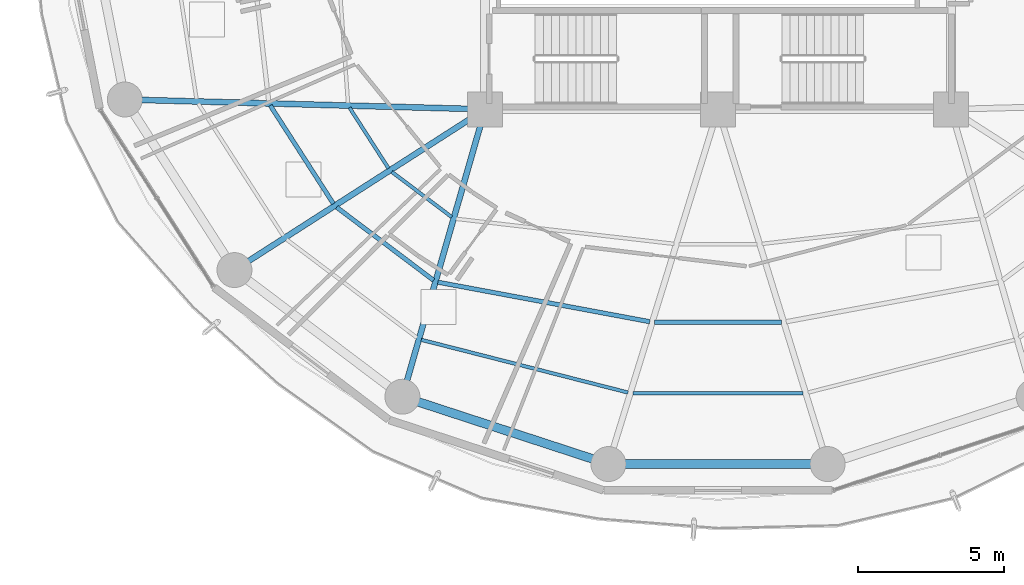
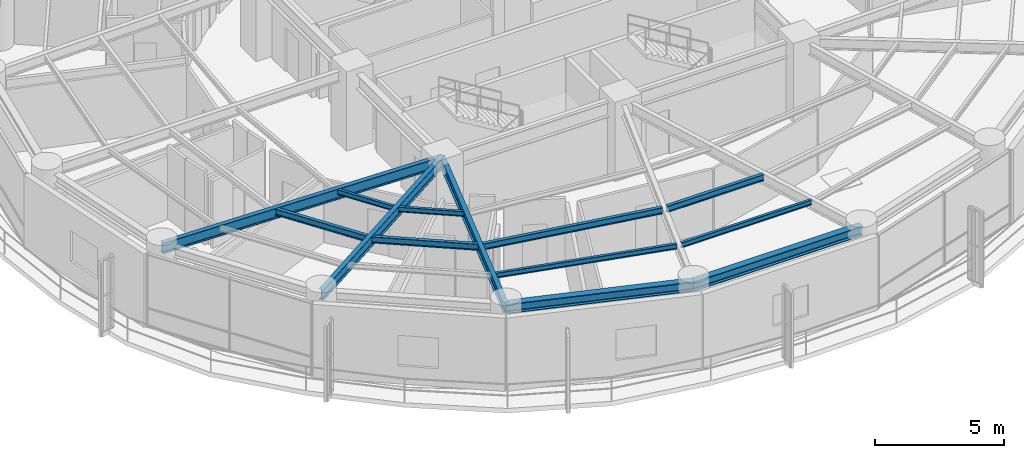
# One storey, part 3 of 27: 13 beams.
"""IFC4 building model written with IfcOpenShell, lengths in metres."""

import ifcopenshell
import ifcopenshell.guid

model = None  # the IFC model being written
_history = None  # IfcOwnerHistory: only IFC2X3 demands one
_inside = {}  # id of a spatial element -> (the spatial element, [elements in it])
_under = {}  # id of a project, library or spatial element -> (it, [spatial elements below it])
_declared = {}  # id of a project -> (the project, [libraries it declares])
_typed = {}  # id of a type object -> (the type object, [elements of that type])
_made_of = {}  # id of a material, layer set ... -> (it, [elements and type objects made of it])


def new_model(schema):
    """Start an empty IFC model of exactly this schema.

    Asked for "IFC4X3", IfcOpenShell would pick the latest addendum, in which some entities
    have other attributes; the version numbers below select the first issue.
    IFC2X3 requires an IfcOwnerHistory on every rooted entity: one is made here for all.
    """
    global model, _history
    if schema == "IFC4X3":
        model = ifcopenshell.file(schema_version=(4, 3, 0, 0))
    else:
        model = ifcopenshell.file(schema=schema)
    _inside.clear()
    _under.clear()
    _declared.clear()
    _typed.clear()
    _made_of.clear()
    _history = None
    if model.schema == "IFC2X3":
        org = make("IfcOrganization", Name="unknown")
        user = make(
            "IfcPersonAndOrganization",
            ThePerson=make("IfcPerson", FamilyName="unknown"),
            TheOrganization=org,
        )
        app = make(
            "IfcApplication",
            ApplicationDeveloper=org,
            Version="unknown",
            ApplicationFullName="unknown",
            ApplicationIdentifier="unknown",
        )
        _history = make(
            "IfcOwnerHistory",
            OwningUser=user,
            OwningApplication=app,
            ChangeAction="ADDED",
            CreationDate=0,
        )
    return model


def make(cls, **values):
    """One entity of the class cls with the attributes given. An attribute that is None is left unset."""
    return model.create_entity(
        cls, **{name: value for name, value in values.items() if value is not None}
    )


def rooted(cls, **values):
    """An entity with a GlobalId (a new one), such as an element, a storey or a relation."""
    return make(cls, GlobalId=ifcopenshell.guid.new(), OwnerHistory=_history, **values)


def si_unit(unit_type, name, prefix=None):
    """IfcSIUnit, for example si_unit("LENGTHUNIT", "METRE", prefix="MILLI")."""
    return make("IfcSIUnit", UnitType=unit_type, Prefix=prefix, Name=name)


def assignment(units):
    """IfcUnitAssignment: the units of a project."""
    return None if units is None else make("IfcUnitAssignment", Units=units)


def point(xyz):
    """IfcCartesianPoint."""
    return None if xyz is None else make("IfcCartesianPoint", Coordinates=xyz)


def direction(xyz):
    """IfcDirection."""
    return None if xyz is None else make("IfcDirection", DirectionRatios=xyz)


def frame(location, z_axis=None, x_axis=None):
    """IfcAxis2Placement3D, a coordinate frame: its origin and axes. An axis left out is left unset."""
    return make(
        "IfcAxis2Placement3D",
        Location=point(location),
        Axis=direction(z_axis),
        RefDirection=direction(x_axis),
    )


def frame_2d(location, x_axis=None):
    """IfcAxis2Placement2D, a coordinate frame in the plane: its origin and x axis."""
    return make(
        "IfcAxis2Placement2D", Location=point(location), RefDirection=direction(x_axis)
    )


def origin():
    """The frame at (0, 0, 0) with its axes left unset."""
    return frame((0.0, 0.0, 0.0))


def origin_2d():
    """The frame at (0, 0) in the plane with its x axis left unset."""
    return frame_2d((0.0, 0.0))


def place(relative_to, where):
    """IfcLocalPlacement: puts the frame where relative to a parent placement (None: the world)."""
    return make(
        "IfcLocalPlacement", PlacementRelTo=relative_to, RelativePlacement=where
    )


def context(
    kind, dimensions, precision=None, world=None, true_north=None, identifier=None
):
    """IfcGeometricRepresentationContext, for example the 3D "Model" context."""
    return make(
        "IfcGeometricRepresentationContext",
        ContextIdentifier=identifier,
        ContextType=kind,
        CoordinateSpaceDimension=dimensions,
        Precision=precision,
        WorldCoordinateSystem=world,
        TrueNorth=true_north,
    )


def subcontext(parent, identifier, kind, view, scale=None):
    """IfcGeometricRepresentationSubContext, for example "Body" below "Model"."""
    return make(
        "IfcGeometricRepresentationSubContext",
        ContextIdentifier=identifier,
        ContextType=kind,
        ParentContext=parent,
        TargetScale=scale,
        TargetView=view,
    )


def project(units=None, contexts=None):
    """IfcProject with its units and contexts."""
    return rooted(
        "IfcProject",
        Name="project",
        RepresentationContexts=contexts,
        UnitsInContext=assignment(units),
    )


def spatial(cls, under=None, at=None, **own):
    """A site, building, storey or space (cls), placed at a placement, below another one or the project."""
    s = rooted(cls, ObjectPlacement=at, **own)
    if under is not None:
        _under.setdefault(under.id(), (under, []))[1].append(s)
    return s


def profile(cls, at=None, kind="AREA", **sizes):
    """A parametric profile (cls). Its sizes go by their IFC names, for example OverallWidth=200.0."""
    return make(cls, ProfileType=kind, Position=at, **sizes)


def i_section(**sizes):
    """IfcIShapeProfileDef."""
    return profile("IfcIShapeProfileDef", **sizes)


def extrude(swept, where, along, depth):
    """IfcExtrudedAreaSolid: the profile swept, set in the frame where, extruded along a direction by depth."""
    return make(
        "IfcExtrudedAreaSolid",
        SweptArea=swept,
        Position=where,
        ExtrudedDirection=direction(along),
        Depth=depth,
    )


def shape(context_of_items, identifier, shape_type, items):
    """IfcShapeRepresentation: the items that make up one representation, for example the "Body"."""
    return make(
        "IfcShapeRepresentation",
        ContextOfItems=context_of_items,
        RepresentationIdentifier=identifier,
        RepresentationType=shape_type,
        Items=items,
    )


def material(Name=None, Category=None):
    """IfcMaterial."""
    return make("IfcMaterial", Name=Name, Category=Category)


def material_profile(
    of_material, cross_section, Name=None, Category=None, Priority=None
):
    """IfcMaterialProfile: a cross section and its material."""
    return make(
        "IfcMaterialProfile",
        Name=Name,
        Material=of_material,
        Profile=cross_section,
        Priority=Priority,
        Category=Category,
    )


def profile_set(profiles, Name=None, composite=None):
    """IfcMaterialProfileSet."""
    return make(
        "IfcMaterialProfileSet",
        Name=Name,
        MaterialProfiles=profiles,
        CompositeProfile=composite,
    )


def made_of(thing, what):
    """Note that an element or type object is made of a material, layer set ...; save() writes the relation."""
    if what is not None:
        _made_of.setdefault(what.id(), (what, []))[1].append(thing)
    return thing


def type_object(cls, material=None, **own):
    """A type object (cls), such as IfcWallType, which elements share."""
    return made_of(rooted(cls, **own), material)


def element(
    cls,
    number,
    at=None,
    inside=None,
    cuts=None,
    type_object=None,
    material=None,
    context=None,
    identifier="Body",
    shape_type=None,
    held_by="IfcProductDefinitionShape",
    body=None,
    shapes=None,
    **own,
):
    """One element of the class cls, such as IfcWall. Its Tag is "e" and its number.

    at: its placement. inside: the storey or other place that contains it. cuts: it is an
    opening in that element (IfcRelVoidsElement). A single representation is given by context,
    identifier, shape_type and body (its items); several are given by shapes. held_by: the class
    of the entity that holds the representations. save() writes the other relations.
    """
    e = rooted(cls, Tag="e%d" % number, ObjectPlacement=at, **own)
    if body is not None:
        shapes = [shape(context, identifier, shape_type, body)]
    if shapes is not None:
        e.Representation = make(held_by, Representations=shapes)
    if inside is not None:
        _inside.setdefault(inside.id(), (inside, []))[1].append(e)
    if cuts is not None:
        rooted(
            "IfcRelVoidsElement", RelatingBuildingElement=cuts, RelatedOpeningElement=e
        )
    if type_object is not None:
        _typed.setdefault(type_object.id(), (type_object, []))[1].append(e)
    return made_of(e, material)


def aggregate(whole, parts):
    """IfcRelAggregates: a whole, such as a stair, and the parts it consists of."""
    return rooted("IfcRelAggregates", RelatingObject=whole, RelatedObjects=parts)


def save(model, path):
    """Write the relations noted so far, then the file.

    IfcRelAggregates (storeys below a building ...), IfcRelContainedInSpatialStructure (elements
    in a storey), IfcRelDefinesByType, IfcRelAssociatesMaterial and IfcRelDeclares: one each for
    every whole, place, type object, material and project.
    """
    for whole, parts in _under.values():
        aggregate(whole, parts)
    for where, things in _inside.values():
        rooted(
            "IfcRelContainedInSpatialStructure",
            RelatedElements=things,
            RelatingStructure=where,
        )
    for kind, things in _typed.values():
        rooted("IfcRelDefinesByType", RelatedObjects=things, RelatingType=kind)
    for what, things in _made_of.values():
        rooted("IfcRelAssociatesMaterial", RelatedObjects=things, RelatingMaterial=what)
    for by, libraries in _declared.values():
        rooted("IfcRelDeclares", RelatingContext=by, RelatedDefinitions=libraries)
    model.write(path)


model = new_model("IFC4")

# Units and contexts
model_context = context("Model", 3, precision=1e-05, world=origin(), true_north=direction((0.0, 1.0)))
body_context = subcontext(model_context, "Body", "Model", "MODEL_VIEW")
ifc_project = project(units=[si_unit("LENGTHUNIT", "METRE"), si_unit("AREAUNIT", "SQUARE_METRE"), si_unit("VOLUMEUNIT", "CUBIC_METRE"), si_unit("PLANEANGLEUNIT", "RADIAN"), si_unit("MASSUNIT", "GRAM", prefix="KILO")], contexts=[model_context])

# Site, building, storey
site_placement = place(None, origin())
site = spatial("IfcSite", under=ifc_project, at=site_placement, CompositionType="ELEMENT")
building_placement = place(site_placement, origin())
building = spatial("IfcBuilding", under=site, at=building_placement, Name="Kelanora Arch Commons", CompositionType="ELEMENT")
storey_placement = place(building_placement, frame((0.0, 0.0, 154.35009765625)))
storey = spatial("IfcBuildingStorey", under=building, at=storey_placement, Name="L39", CompositionType="ELEMENT", Elevation=154.35009765625)

# Beams
ifc_material = material(Name="Steel S355", Category="steel")
ifc_material_profile_1 = material_profile(ifc_material, i_section(OverallWidth=0.14990234375, OverallDepth=0.300048828125, WebThickness=0.007080078125, FlangeThickness=0.0107421875, FilletRadius=0.014892578125, at=origin_2d()), Name="IPE300")
ifc_profile_set_1 = profile_set([ifc_material_profile_1], Name="Steel S355")
beam_type_1 = type_object("IfcBeamType", Name="BM-JST-01", PredefinedType="JOIST", material=ifc_profile_set_1)
beam_1_placement = place(storey_placement, frame((58.622314453125, 51.130859375, 3.33984375), z_axis=(0.540594434398, -0.841283339606, 0.0), x_axis=(0.841283339606, 0.540594434398, 0.0)))
element("IfcBeam", 1, at=beam_1_placement, inside=storey, type_object=beam_type_1, Name="Secondary Chord Joist BJB-20 L39", PredefinedType="JOIST", context=body_context, shape_type="SweptSolid", body=[
    extrude(i_section(OverallWidth=0.14990234375, OverallDepth=0.300048828125, WebThickness=0.007080078125, FlangeThickness=0.0107421875, FilletRadius=0.014892578125, at=origin_2d()), origin(), (0.0, 0.0, 1.0), 4.008544921875),
])
beam_2_placement = place(storey_placement, frame((60.9033203125, 47.635986328125, 3.33984375), z_axis=(0.798463547891, -0.602043156833, 0.0), x_axis=(0.602043156833, 0.798463547891, 0.0)))
element("IfcBeam", 2, at=beam_2_placement, inside=storey, type_object=beam_type_1, Name="Secondary Chord Joist BJB-22 L39", PredefinedType="JOIST", context=body_context, shape_type="SweptSolid", body=[
    extrude(i_section(OverallWidth=0.14990234375, OverallDepth=0.300048828125, WebThickness=0.007080078125, FlangeThickness=0.0107421875, FilletRadius=0.014892578125, at=origin_2d()), origin(), (0.0, 0.0, 1.0), 4.163818359375),
])
beam_3_placement = place(storey_placement, frame((64.379638671875, 45.062255859375, 3.33984375), z_axis=(0.983054256126, -0.183314837134, 0.0), x_axis=(0.183314837134, 0.983054256126, 0.0)))
element("IfcBeam", 3, at=beam_3_placement, inside=storey, type_object=beam_type_1, Name="Secondary Chord Joist BJB-24 L39", PredefinedType="JOIST", context=body_context, shape_type="SweptSolid", body=[
    extrude(i_section(OverallWidth=0.14990234375, OverallDepth=0.300048828125, WebThickness=0.007080078125, FlangeThickness=0.0107421875, FilletRadius=0.014892578125, at=origin_2d()), origin(), (0.0, 0.0, 1.0), 7.403564453125),
])
beam_4_placement = place(storey_placement, frame((71.826171875, 43.689453125, 3.33984375), z_axis=(1.0, 0.0, 0.0), x_axis=(0.0, 1.0, 0.0)))
element("IfcBeam", 4, at=beam_4_placement, inside=storey, type_object=beam_type_1, Name="Secondary Chord Joist BJB-26 L39", PredefinedType="JOIST", context=body_context, shape_type="SweptSolid", body=[
    extrude(i_section(OverallWidth=0.14990234375, OverallDepth=0.300048828125, WebThickness=0.007080078125, FlangeThickness=0.0107421875, FilletRadius=0.014892578125, at=origin_2d()), origin(), (0.0, 0.0, 1.0), 4.34765625),
])
ifc_material_profile_2 = material_profile(ifc_material, i_section(OverallWidth=0.1201171875, OverallDepth=0.239990234375, WebThickness=0.006103515625, FlangeThickness=0.009765625, FilletRadius=0.014892578125, at=origin_2d()), Name="IPE240")
ifc_profile_set_2 = profile_set([ifc_material_profile_2], Name="Steel S355")
beam_type_2 = type_object("IfcBeamType", Name="BM-JST-02", PredefinedType="JOIST", material=ifc_profile_set_2)
beam_5_placement = place(storey_placement, frame((61.344482421875, 51.056640625, 3.369873046875), z_axis=(0.540583174025, -0.841290575224, 0.0), x_axis=(0.841290575224, 0.540583174025, 0.0)))
element("IfcBeam", 5, at=beam_5_placement, inside=storey, type_object=beam_type_2, Name="Secondary Chord Joist BJA-20 L39", PredefinedType="JOIST", context=body_context, shape_type="SweptSolid", body=[
    extrude(i_section(OverallWidth=0.1201171875, OverallDepth=0.239990234375, WebThickness=0.006103515625, FlangeThickness=0.009765625, FilletRadius=0.014892578125, at=origin_2d()), origin(), (0.0, 0.0, 1.0), 2.476318359375),
])
beam_6_placement = place(storey_placement, frame((62.796875, 48.8505859375, 3.369873046875), z_axis=(0.798484118859, -0.602015873487, 0.0), x_axis=(0.602015873487, 0.798484118859, 0.0)))
element("IfcBeam", 6, at=beam_6_placement, inside=storey, type_object=beam_type_2, Name="Secondary Chord Joist BJA-22 L39", PredefinedType="JOIST", context=body_context, shape_type="SweptSolid", body=[
    extrude(i_section(OverallWidth=0.1201171875, OverallDepth=0.239990234375, WebThickness=0.006103515625, FlangeThickness=0.009765625, FilletRadius=0.014892578125, at=origin_2d()), origin(), (0.0, 0.0, 1.0), 2.57470703125),
])
beam_7_placement = place(storey_placement, frame((63.810302734375, 43.082763671875, 3.369873046875), z_axis=(0.96900232943, -0.247051584815, 0.0), x_axis=(0.247051584815, 0.96900232943, 0.0)))
element("IfcBeam", 7, at=beam_7_placement, inside=storey, type_object=beam_type_2, Name="Secondary Chord Joist BJC-24 L39", PredefinedType="JOIST", context=body_context, shape_type="SweptSolid", body=[
    extrude(i_section(OverallWidth=0.1201171875, OverallDepth=0.239990234375, WebThickness=0.006103515625, FlangeThickness=0.009765625, FilletRadius=0.014892578125, at=origin_2d()), origin(), (0.0, 0.0, 1.0), 7.32275390625),
])
beam_8_placement = place(storey_placement, frame((71.0732421875, 41.252685546875, 3.369873046875), z_axis=(1.0, 0.0, 0.0), x_axis=(0.0, 1.0, 0.0)))
element("IfcBeam", 8, at=beam_8_placement, inside=storey, type_object=beam_type_2, Name="Secondary Chord Joist BJC-26 L39", PredefinedType="JOIST", context=body_context, shape_type="SweptSolid", body=[
    extrude(i_section(OverallWidth=0.1201171875, OverallDepth=0.239990234375, WebThickness=0.006103515625, FlangeThickness=0.009765625, FilletRadius=0.014892578125, at=origin_2d()), origin(), (0.0, 0.0, 1.0), 5.853515625),
])
ifc_material_profile_3 = material_profile(ifc_material, i_section(OverallWidth=0.199951171875, OverallDepth=0.5, WebThickness=0.01025390625, FlangeThickness=0.01611328125, FilletRadius=0.02099609375, at=origin_2d()), Name="IPE500")
ifc_profile_set_3 = profile_set([ifc_material_profile_3], Name="Steel S355")
beam_type_3 = type_object("IfcBeamType", Name="BM-RAD-Z3", PredefinedType="BEAM", material=ifc_profile_set_3)
beam_9_placement = place(storey_placement, frame((66.0, 51.0, 3.239990234375), z_axis=(-0.999628374924, 0.027260081577, 0.0), x_axis=(-0.027260081577, -0.999628374924, 0.0)))
element("IfcBeam", 9, at=beam_9_placement, inside=storey, type_object=beam_type_3, Name="Radial Floor Girder BR-20 L39", PredefinedType="BEAM", context=body_context, shape_type="SweptSolid", body=[
    extrude(i_section(OverallWidth=0.199951171875, OverallDepth=0.5, WebThickness=0.01025390625, FlangeThickness=0.01611328125, FilletRadius=0.02099609375, at=origin_2d()), origin(), (0.0, 0.0, 1.0), 12.377197265625),
])
beam_10_placement = place(storey_placement, frame((66.0, 51.0, 3.239990234375), z_axis=(-0.841719465748, -0.539915123868, 0.0), x_axis=(0.539915123868, -0.841719465748, 0.0)))
element("IfcBeam", 10, at=beam_10_placement, inside=storey, type_object=beam_type_3, Name="Radial Floor Girder BR-22 L39", PredefinedType="BEAM", context=body_context, shape_type="SweptSolid", body=[
    extrude(i_section(OverallWidth=0.199951171875, OverallDepth=0.5, WebThickness=0.01025390625, FlangeThickness=0.01611328125, FilletRadius=0.02099609375, at=origin_2d()), origin(), (0.0, 0.0, 1.0), 10.2265625),
])
beam_11_placement = place(storey_placement, frame((66.0, 51.0, 3.239990234375), z_axis=(-0.276525880065, -0.961006471182, 0.0), x_axis=(0.961006471182, -0.276525880065, 0.0)))
element("IfcBeam", 11, at=beam_11_placement, inside=storey, type_object=beam_type_3, Name="Radial Floor Girder BR-24 L39", PredefinedType="BEAM", context=body_context, shape_type="SweptSolid", body=[
    extrude(i_section(OverallWidth=0.199951171875, OverallDepth=0.5, WebThickness=0.01025390625, FlangeThickness=0.01611328125, FilletRadius=0.02099609375, at=origin_2d()), origin(), (0.0, 0.0, 1.0), 10.2705078125),
])
ifc_material_profile_4 = material_profile(ifc_material, i_section(OverallWidth=0.300048828125, OverallDepth=0.449951171875, WebThickness=0.013916015625, FlangeThickness=0.02587890625, FilletRadius=0.027099609375, at=origin_2d()), Name="HEB450")
ifc_profile_set_4 = profile_set([ifc_material_profile_4], Name="Steel S355")
beam_type_4 = type_object("IfcBeamType", Name="BM-SPN-Z3", PredefinedType="SPANDREL", material=ifc_profile_set_4)
beam_12_placement = place(storey_placement, frame((63.159912109375, 41.1298828125, 3.264892578125), z_axis=(0.950461975786, -0.310840847676, 0.0), x_axis=(0.310840847676, 0.950461975786, 0.0)))
element("IfcBeam", 12, at=beam_12_placement, inside=storey, type_object=beam_type_4, Name="Perimeter Spandrel Beam BS-24 L39", PredefinedType="SPANDREL", context=body_context, shape_type="SweptSolid", body=[
    extrude(i_section(OverallWidth=0.300048828125, OverallDepth=0.449951171875, WebThickness=0.013916015625, FlangeThickness=0.02587890625, FilletRadius=0.027099609375, at=origin_2d()), origin(), (0.0, 0.0, 1.0), 7.444091796875),
])
beam_13_placement = place(storey_placement, frame((70.2353515625, 38.81591796875, 3.264892578125), z_axis=(1.0, 0.0, 0.0), x_axis=(0.0, 1.0, 0.0)))
element("IfcBeam", 13, at=beam_13_placement, inside=storey, type_object=beam_type_4, Name="Perimeter Spandrel Beam BS-26 L39", PredefinedType="SPANDREL", context=body_context, shape_type="SweptSolid", body=[
    extrude(i_section(OverallWidth=0.300048828125, OverallDepth=0.449951171875, WebThickness=0.013916015625, FlangeThickness=0.02587890625, FilletRadius=0.027099609375, at=origin_2d()), origin(), (0.0, 0.0, 1.0), 7.529296875),
])

save(model, "model.ifc")
